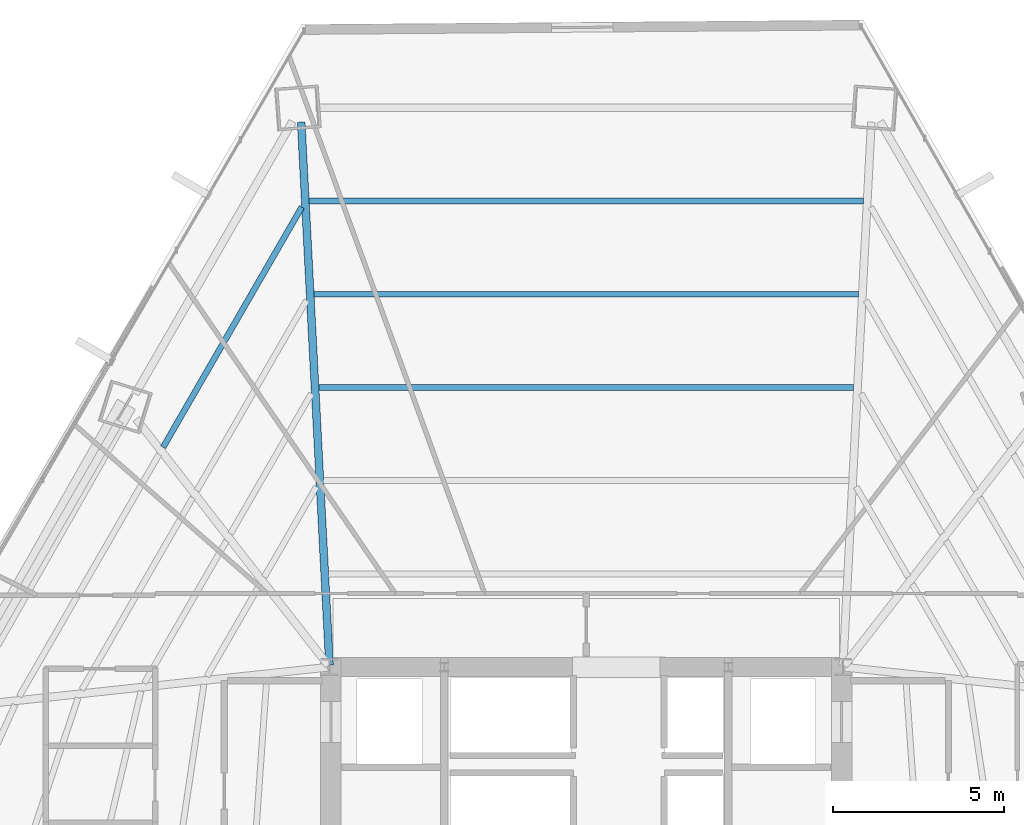
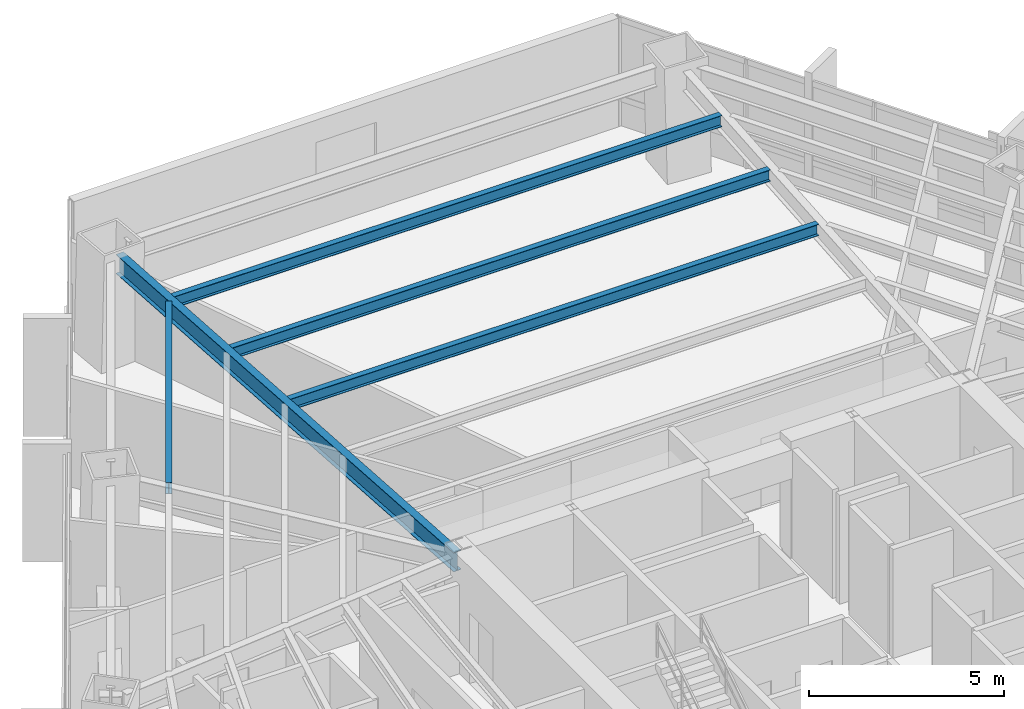
# One storey, part 25 of 36: 5 beams.
"""IFC4 building model written with IfcOpenShell, lengths in metres."""

from ifc_helpers import new_model, si_unit, direction, frame, origin, origin_2d, place, context, subcontext, project, spatial, i_section, extrude, source, transform, mapped, material, material_profile, profile_set, type_object, type_shapes, element, save


model = new_model("IFC4")

# Units and contexts
model_context = context("Model", 3, precision=1e-05, world=origin(), true_north=direction((0.0, 1.0)))
body_context = subcontext(model_context, "Body", "Model", "MODEL_VIEW")
ifc_project = project(units=[si_unit("LENGTHUNIT", "METRE"), si_unit("AREAUNIT", "SQUARE_METRE"), si_unit("VOLUMEUNIT", "CUBIC_METRE"), si_unit("PLANEANGLEUNIT", "RADIAN"), si_unit("MASSUNIT", "GRAM", prefix="KILO")], contexts=[model_context])

# Site, building, storey
site_placement = place(None, origin())
site = spatial("IfcSite", under=ifc_project, at=site_placement, CompositionType="ELEMENT")
building_placement = place(site_placement, origin())
building = spatial("IfcBuilding", under=site, at=building_placement, Name="Caelisora Broadcast Tower", CompositionType="ELEMENT")
storey_placement = place(building_placement, frame((0.0, 0.0, 64.10009765625)))
storey = spatial("IfcBuildingStorey", under=building, at=storey_placement, Name="L16", CompositionType="ELEMENT", Elevation=64.10009765625)

# Beams
ifc_material = material(Name="Steel Grade 350 (AS/NZS 3679.1)", Category="steel")
ifc_material_profile_1 = material_profile(ifc_material, i_section(OverallWidth=0.22802734375, OverallDepth=0.602294921875, WebThickness=0.010498046875, FlangeThickness=0.014892578125, at=origin_2d()), Name="Steel Grade 350 (AS/NZS 3679.1)")
ifc_profile_set_1 = profile_set([ifc_material_profile_1], Name="Steel Grade 350 (AS/NZS 3679.1)")
beam_type_1 = type_object("IfcBeamType", Name="PG04", PredefinedType="BEAM", material=ifc_profile_set_1)
shared_shape_1 = source(origin(), body_context, "Body", "SweptSolid", [
    extrude(i_section(OverallWidth=0.22802734375, OverallDepth=0.602294921875, WebThickness=0.010498046875, FlangeThickness=0.014892578125, at=origin_2d()), origin(), (0.0, 0.0, 1.0), 15.885009765625),
])
type_shapes(beam_type_1, [shared_shape_1])
beam_1_placement = place(storey_placement, frame((30.496826171875, 30.059814453125, 3.098876953125), z_axis=(-0.052086119098, 0.998642596827, 0.0), x_axis=(-0.998642596827, -0.052086119098, 0.0)))
element("IfcBeam", 1, at=beam_1_placement, inside=storey, type_object=beam_type_1, Name="L16 beam PG04", PredefinedType="BEAM", context=body_context, shape_type="MappedRepresentation", body=[
    mapped(shared_shape_1, transform((0.0, 0.0, 0.0), scale=1.0)),
])
ifc_material_profile_2 = material_profile(ifc_material, i_section(OverallWidth=0.172119140625, OverallDepth=0.358642578125, WebThickness=0.008056640625, FlangeThickness=0.012939453125, at=origin_2d()), Name="Steel Grade 350 (AS/NZS 3679.1)")
ifc_profile_set_2 = profile_set([ifc_material_profile_2], Name="Steel Grade 350 (AS/NZS 3679.1)")
beam_type_2 = type_object("IfcBeamType", Name="SB02", PredefinedType="JOIST", material=ifc_profile_set_2)
shared_shape_2 = source(origin(), body_context, "Body", "SweptSolid", [
    extrude(i_section(OverallWidth=0.172119140625, OverallDepth=0.358642578125, WebThickness=0.008056640625, FlangeThickness=0.012939453125, at=origin_2d()), origin(), (0.0, 0.0, 1.0), 15.6298828125),
])
beam_2_placement = place(storey_placement, frame((45.81494140625, 38.17138671875, 3.220703125), z_axis=(-1.0, 0.0, 0.0), x_axis=(0.0, -1.0, 0.0)))
element("IfcBeam", 2, at=beam_2_placement, inside=storey, type_object=beam_type_2, Name="L16 beam SB02", PredefinedType="JOIST", context=body_context, shape_type="MappedRepresentation", body=[
    mapped(shared_shape_2, transform((0.0, 0.0, 0.0), scale=1.0)),
])
shared_shape_3 = source(origin(), body_context, "Body", "SweptSolid", [
    extrude(i_section(OverallWidth=0.172119140625, OverallDepth=0.358642578125, WebThickness=0.008056640625, FlangeThickness=0.012939453125, at=origin_2d()), origin(), (0.0, 0.0, 1.0), 15.9140625),
])
beam_3_placement = place(storey_placement, frame((45.95703125, 40.89501953125, 3.220703125), z_axis=(-1.0, 0.0, 0.0), x_axis=(0.0, -1.0, 0.0)))
element("IfcBeam", 3, at=beam_3_placement, inside=storey, type_object=beam_type_2, Name="L16 beam SB02", PredefinedType="JOIST", context=body_context, shape_type="MappedRepresentation", body=[
    mapped(shared_shape_3, transform((0.0, 0.0, 0.0), scale=1.0)),
])
shared_shape_4 = source(origin(), body_context, "Body", "SweptSolid", [
    extrude(i_section(OverallWidth=0.172119140625, OverallDepth=0.358642578125, WebThickness=0.008056640625, FlangeThickness=0.012939453125, at=origin_2d()), origin(), (0.0, 0.0, 1.0), 16.1982421875),
])
beam_4_placement = place(storey_placement, frame((46.09912109375, 43.618896484375, 3.220703125), z_axis=(-1.0, 0.0, 0.0), x_axis=(0.0, -1.0, 0.0)))
element("IfcBeam", 4, at=beam_4_placement, inside=storey, type_object=beam_type_2, Name="L16 beam SB02", PredefinedType="JOIST", context=body_context, shape_type="MappedRepresentation", body=[
    mapped(shared_shape_4, transform((0.0, 0.0, 0.0), scale=1.0)),
])
shared_shape_5 = source(origin(), body_context, "Body", "SweptSolid", [
    extrude(i_section(OverallWidth=0.172119140625, OverallDepth=0.358642578125, WebThickness=0.008056640625, FlangeThickness=0.012939453125, at=origin_2d()), origin(), (0.0, 0.0, 1.0), 8.103271484375),
])
type_shapes(beam_type_2, [shared_shape_2, shared_shape_3, shared_shape_4, shared_shape_5])
beam_5_placement = place(storey_placement, frame((29.6865234375, 43.440185546875, 3.220703125), z_axis=(-0.499991952407, -0.866030050014, 0.0), x_axis=(0.866030050014, -0.499991952407, 0.0)))
element("IfcBeam", 5, at=beam_5_placement, inside=storey, type_object=beam_type_2, Name="L16 beam SB02", PredefinedType="JOIST", context=body_context, shape_type="MappedRepresentation", body=[
    mapped(shared_shape_5, transform((0.0, 0.0, 0.0), scale=1.0)),
])

save(model, "model.ifc")
